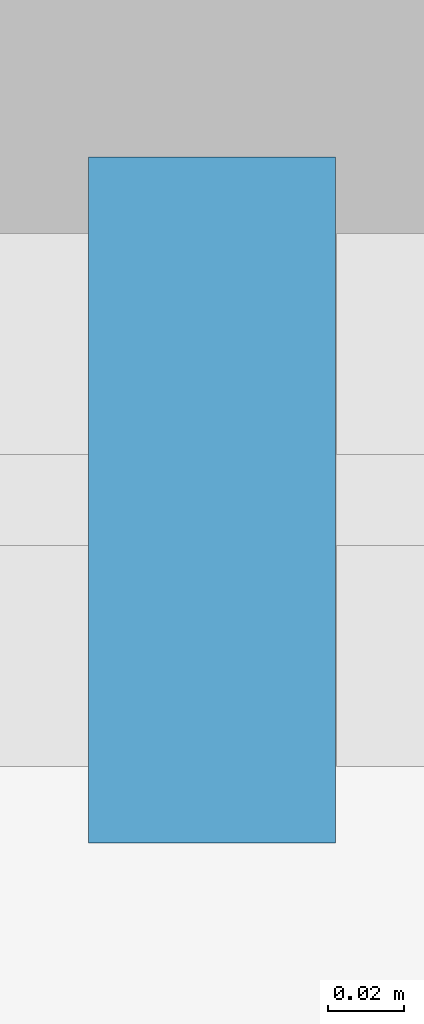
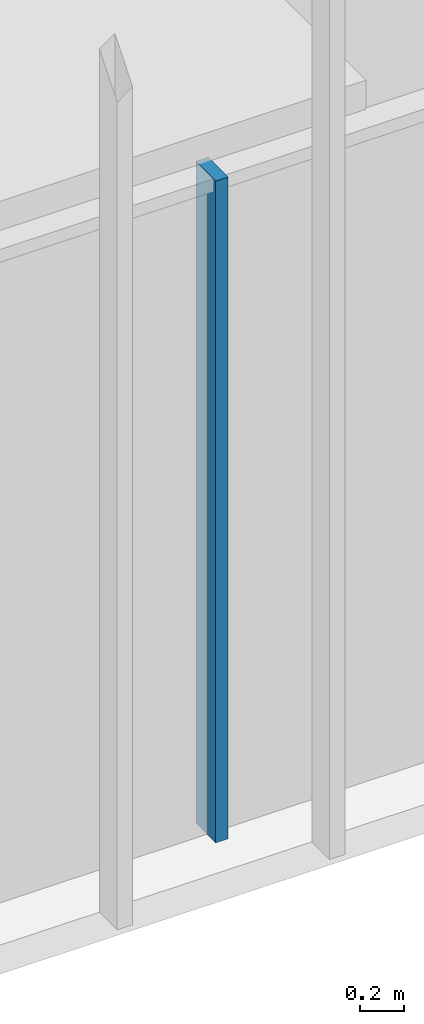
# One storey, part 72 of 256: 1 member, 1 element without a shape of its own.
"""IFC4 building model written with IfcOpenShell, lengths in metres."""

from ifc_helpers import new_model, si_unit, direction, frame, origin, origin_2d, place, context, subcontext, project, spatial, rectangle, extrude, material, material_profile, profile_set, type_object, element, aggregate, save


model = new_model("IFC4")

# Units and contexts
model_context = context("Model", 3, precision=1e-05, world=origin(), true_north=direction((0.0, 1.0)))
body_context = subcontext(model_context, "Body", "Model", "MODEL_VIEW")
ifc_project = project(units=[si_unit("LENGTHUNIT", "METRE"), si_unit("AREAUNIT", "SQUARE_METRE"), si_unit("VOLUMEUNIT", "CUBIC_METRE"), si_unit("PLANEANGLEUNIT", "RADIAN"), si_unit("MASSUNIT", "GRAM", prefix="KILO")], contexts=[model_context])

# Site, building, storey
site_placement = place(None, origin())
site = spatial("IfcSite", under=ifc_project, at=site_placement, CompositionType="ELEMENT")
building_placement = place(site_placement, origin())
building = spatial("IfcBuilding", under=site, at=building_placement, Name="Sandreach Pilgrim Tower", CompositionType="ELEMENT")
storey_placement = place(building_placement, frame((0.0, 0.0, 23.0)))
storey = spatial("IfcBuildingStorey", under=building, at=storey_placement, Name="L04", CompositionType="ELEMENT", Elevation=23.0)

# Curtain wall, member
ifc_material_1 = material(Name="Aluminium framed curtain wall", Category="aluminium")
curtain_wall_type = type_object("IfcCurtainWallType", Name="Hostel tower curtain wall", PredefinedType="NOTDEFINED", material=ifc_material_1)
curtain_wall_placement = place(storey_placement, origin())
curtain_wall = element("IfcCurtainWall", 1, at=curtain_wall_placement, inside=storey, type_object=curtain_wall_type, Name="CW-1 L04 S", PredefinedType="NOTDEFINED")
ifc_material_2 = material(Name="Aluminium extrusion", Category="aluminium")
ifc_material_profile = material_profile(ifc_material_2, rectangle(XDim=0.06494140625, YDim=0.179931640625, at=origin_2d()), Name="CW-1M 65X180")
ifc_profile_set = profile_set([ifc_material_profile], Name="Aluminium extrusion")
member_type = type_object("IfcMemberType", Name="CW-1 mullion", PredefinedType="MULLION", material=ifc_profile_set)
member_placement = place(storey_placement, frame((4.5859375, -30.010986328125, 0.0), z_axis=(0.0, 0.0, 1.0), x_axis=(-1.0, 0.0, 0.0)))
member = element("IfcMember", 2, at=member_placement, type_object=member_type, Name="CW-1 mullion 2", PredefinedType="MULLION", context=body_context, shape_type="SweptSolid", body=[
    extrude(rectangle(XDim=0.06494140625, YDim=0.179931640625, at=origin_2d()), origin(), (0.0, 0.0, 1.0), 3.639892578125),
])
aggregate(curtain_wall, [member])

save(model, "model.ifc")
